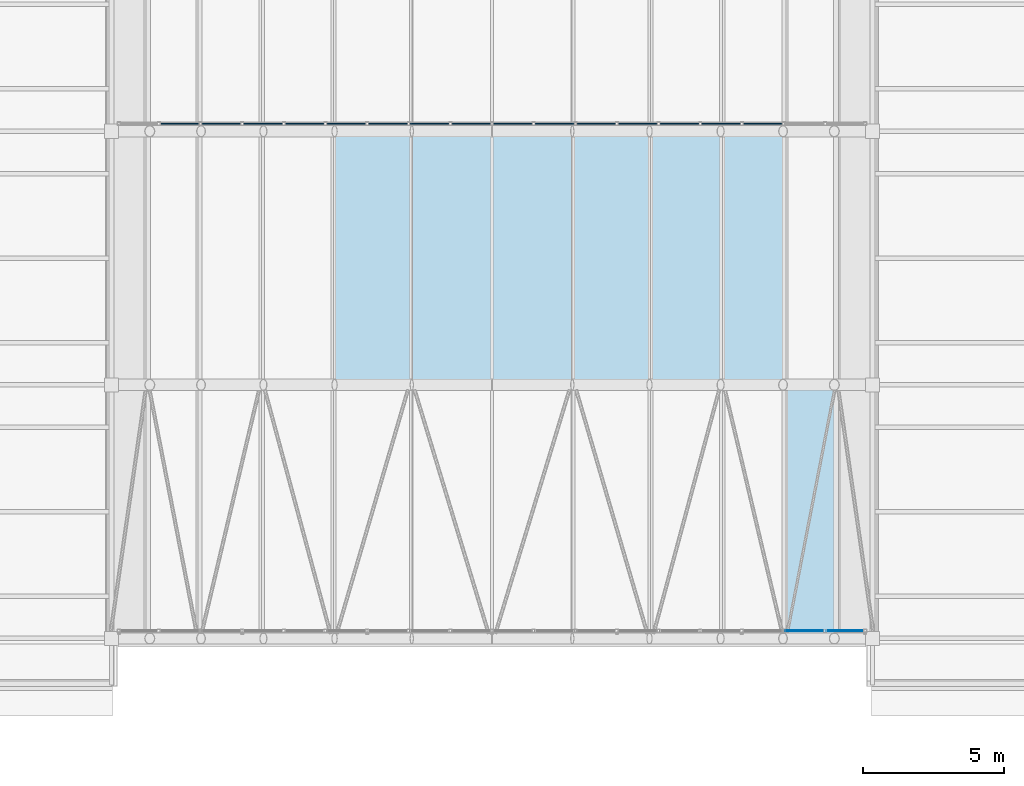
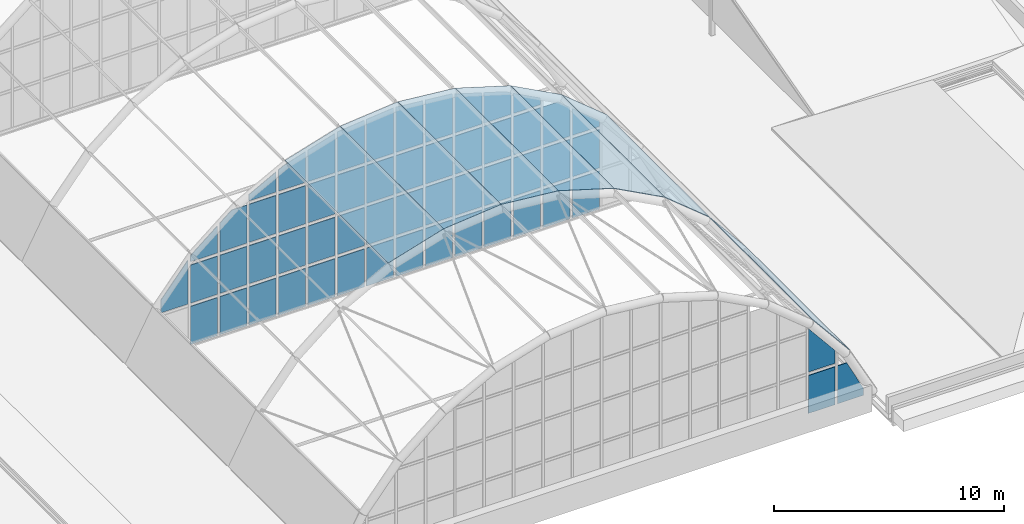
# One storey, part 76 of 121: 63 plates, 2 elements without a shape of their own.
"""IFC4 building model written with IfcOpenShell, lengths in metres."""

from ifc_helpers import new_model, si_unit, direction, frame, origin, place, context, subcontext, project, spatial, polyline, outline, extrude, material, layer, layer_set, type_object, element, aggregate, save


model = new_model("IFC4")

# Units and contexts
model_context = context("Model", 3, precision=1e-05, world=origin(), true_north=direction((0.0, 1.0)))
body_context = subcontext(model_context, "Body", "Model", "MODEL_VIEW")
ifc_project = project(units=[si_unit("LENGTHUNIT", "METRE"), si_unit("AREAUNIT", "SQUARE_METRE"), si_unit("VOLUMEUNIT", "CUBIC_METRE"), si_unit("PLANEANGLEUNIT", "RADIAN"), si_unit("MASSUNIT", "GRAM", prefix="KILO")], contexts=[model_context])

# Site, building, storey
site_placement = place(None, origin())
site = spatial("IfcSite", under=ifc_project, at=site_placement, CompositionType="ELEMENT")
building_placement = place(site_placement, origin())
building = spatial("IfcBuilding", under=site, at=building_placement, Name="Golden Quay Civic Hall", CompositionType="ELEMENT")
storey_placement = place(building_placement, frame((0.0, 0.0, 18.60009765625)))
storey = spatial("IfcBuildingStorey", under=building, at=storey_placement, Name="L04", CompositionType="ELEMENT", Elevation=18.60009765625)

# Curtain wall, plates
ifc_material_1 = material(Name="Fire-resisting glass and steel", Category="steel")
curtain_wall_type_1 = type_object("IfcCurtainWallType", Name="Fire-resisting glazed curtain wall EI 120", PredefinedType="NOTDEFINED", material=ifc_material_1)
curtain_wall_1_placement = place(storey_placement, origin())
curtain_wall_1 = element("IfcCurtainWall", 1, at=curtain_wall_1_placement, inside=storey, type_object=curtain_wall_type_1, Name="Curtain wall tympanum fire1", PredefinedType="NOTDEFINED")
ifc_material_2 = material(Name="Fire-resisting laminated glass", Category="glass")
ifc_layer_1 = layer(ifc_material_2, 0.0400390625)
ifc_layer_set_1 = layer_set([ifc_layer_1], Name="Fire-resisting glazed panel 40")
plate_type_1 = type_object("IfcPlateType", Name="Fire-resisting glazed panel 40", PredefinedType="CURTAIN_PANEL", material=ifc_layer_set_1)
plate_1_placement = place(storey_placement, frame((75.095458984375, 18.2900390625, 2.06982421875), z_axis=(0.0, 1.0, 0.0), x_axis=(-1.0, 0.0, 0.0)))
plate_1 = element("IfcPlate", 2, at=plate_1_placement, type_object=plate_type_1, Name="Tympanum glass 2.2", PredefinedType="CURTAIN_PANEL", context=body_context, shape_type="SweptSolid", body=[
    extrude(outline(polyline([(0.0, 0.0), (1.357666015625, 0.0), (1.357666015625, 0.677978515625), (0.0, 2.3271484375), (0.0, 0.0)])), origin(), (0.0, 0.0, -1.0), 0.0400390625),
])
plate_2_placement = place(storey_placement, frame((76.5732421875, 18.2900390625, -0.130126953125), z_axis=(0.0, 1.0, 0.0), x_axis=(-1.0, 0.0, 0.0)))
plate_2 = element("IfcPlate", 3, at=plate_2_placement, type_object=plate_type_1, Name="Tympanum glass 3.1", PredefinedType="CURTAIN_PANEL", context=body_context, shape_type="SweptSolid", body=[
    extrude(outline(polyline([(0.0, 0.0), (1.357666015625, 0.0), (1.357666015625, 2.02001953125), (0.0, 2.02001953125), (0.0, 0.0)])), origin(), (0.0, 0.0, -1.0), 0.0400390625),
])
plate_3_placement = place(storey_placement, frame((76.5732421875, 18.2900390625, 2.06982421875), z_axis=(0.0, 1.0, 0.0), x_axis=(-1.0, 0.0, 0.0)))
plate_3 = element("IfcPlate", 4, at=plate_3_placement, type_object=plate_type_1, Name="Tympanum glass 3.2", PredefinedType="CURTAIN_PANEL", context=body_context, shape_type="SweptSolid", body=[
    extrude(outline(polyline([(0.0, 0.0), (1.357666015625, 0.0), (1.357666015625, 2.02001953125), (0.0, 2.02001953125), (0.0, 0.0)])), origin(), (0.0, 0.0, -1.0), 0.0400390625),
])
plate_4_placement = place(storey_placement, frame((76.5732421875, 18.2900390625, 4.27001953125), z_axis=(0.0, 1.0, 0.0), x_axis=(-1.0, 0.0, 0.0)))
plate_4 = element("IfcPlate", 5, at=plate_4_placement, type_object=plate_type_1, Name="Tympanum glass 3.3", PredefinedType="CURTAIN_PANEL", context=body_context, shape_type="SweptSolid", body=[
    extrude(outline(polyline([(0.0, 0.0), (1.357666015625, 0.0), (1.357666015625, 0.31298828125), (0.0, 1.424560546875), (0.0, 0.0)])), origin(), (0.0, 0.0, -1.0), 0.0400390625),
])
plate_5_placement = place(storey_placement, frame((78.051025390625, 18.2900390625, -0.130126953125), z_axis=(0.0, 1.0, 0.0), x_axis=(-1.0, 0.0, 0.0)))
plate_5 = element("IfcPlate", 6, at=plate_5_placement, type_object=plate_type_1, Name="Tympanum glass 4.1", PredefinedType="CURTAIN_PANEL", context=body_context, shape_type="SweptSolid", body=[
    extrude(outline(polyline([(0.0, 0.0), (1.357666015625, 0.0), (1.357666015625, 2.02001953125), (0.0, 2.02001953125), (0.0, 0.0)])), origin(), (0.0, 0.0, -1.0), 0.0400390625),
])
plate_6_placement = place(storey_placement, frame((78.051025390625, 18.2900390625, 2.06982421875), z_axis=(0.0, 1.0, 0.0), x_axis=(-1.0, 0.0, 0.0)))
plate_6 = element("IfcPlate", 7, at=plate_6_placement, type_object=plate_type_1, Name="Tympanum glass 4.2", PredefinedType="CURTAIN_PANEL", context=body_context, shape_type="SweptSolid", body=[
    extrude(outline(polyline([(0.0, 0.0), (1.357666015625, 0.0), (1.357666015625, 2.02001953125), (0.0, 2.02001953125), (0.0, 0.0)])), origin(), (0.0, 0.0, -1.0), 0.0400390625),
])
plate_7_placement = place(storey_placement, frame((78.051025390625, 18.2900390625, 4.27001953125), z_axis=(0.0, 1.0, 0.0), x_axis=(-1.0, 0.0, 0.0)))
plate_7 = element("IfcPlate", 8, at=plate_7_placement, type_object=plate_type_1, Name="Tympanum glass 4.3", PredefinedType="CURTAIN_PANEL", context=body_context, shape_type="SweptSolid", body=[
    extrude(outline(polyline([(0.0, 0.0), (1.357666015625, 0.0), (1.357666015625, 1.522705078125), (0.75048828125, 2.019775390625), (0.0, 2.019775390625), (0.0, 0.0)])), origin(), (0.0, 0.0, -1.0), 0.0400390625),
])
plate_8_placement = place(storey_placement, frame((79.52880859375, 18.2900390625, -0.130126953125), z_axis=(0.0, 1.0, 0.0), x_axis=(-1.0, 0.0, 0.0)))
plate_8 = element("IfcPlate", 9, at=plate_8_placement, type_object=plate_type_1, Name="Tympanum glass 5.1", PredefinedType="CURTAIN_PANEL", context=body_context, shape_type="SweptSolid", body=[
    extrude(outline(polyline([(0.0, 0.0), (1.357666015625, 0.0), (1.357666015625, 2.02001953125), (0.0, 2.02001953125), (0.0, 0.0)])), origin(), (0.0, 0.0, -1.0), 0.0400390625),
])
plate_9_placement = place(storey_placement, frame((79.52880859375, 18.2900390625, 2.06982421875), z_axis=(0.0, 1.0, 0.0), x_axis=(-1.0, 0.0, 0.0)))
plate_9 = element("IfcPlate", 10, at=plate_9_placement, type_object=plate_type_1, Name="Tympanum glass 5.2", PredefinedType="CURTAIN_PANEL", context=body_context, shape_type="SweptSolid", body=[
    extrude(outline(polyline([(0.0, 0.0), (1.357666015625, 0.0), (1.357666015625, 2.02001953125), (0.0, 2.02001953125), (0.0, 0.0)])), origin(), (0.0, 0.0, -1.0), 0.0400390625),
])
plate_10_placement = place(storey_placement, frame((79.52880859375, 18.2900390625, 4.27001953125), z_axis=(0.0, 1.0, 0.0), x_axis=(-1.0, 0.0, 0.0)))
plate_10 = element("IfcPlate", 11, at=plate_10_placement, type_object=plate_type_1, Name="Tympanum glass 5.3", PredefinedType="CURTAIN_PANEL", context=body_context, shape_type="SweptSolid", body=[
    extrude(outline(polyline([(0.0, 0.0), (1.357666015625, 0.0), (1.357666015625, 2.019775390625), (0.0, 2.019775390625), (0.0, 0.0)])), origin(), (0.0, 0.0, -1.0), 0.0400390625),
])
plate_11_placement = place(storey_placement, frame((79.52880859375, 18.2900390625, 6.469970703125), z_axis=(0.0, 1.0, 0.0), x_axis=(-1.0, 0.0, 0.0)))
plate_11 = element("IfcPlate", 12, at=plate_11_placement, type_object=plate_type_1, Name="Tympanum glass 5.4", PredefinedType="CURTAIN_PANEL", context=body_context, shape_type="SweptSolid", body=[
    extrude(outline(polyline([(0.0, 0.0), (1.357666015625, 0.0), (1.357666015625, 0.34130859375), (0.0, 1.065673828125), (0.0, 0.0)])), origin(), (0.0, 0.0, -1.0), 0.0400390625),
])
plate_12_placement = place(storey_placement, frame((81.006591796875, 18.2900390625, -0.130126953125), z_axis=(0.0, 1.0, 0.0), x_axis=(-1.0, 0.0, 0.0)))
plate_12 = element("IfcPlate", 13, at=plate_12_placement, type_object=plate_type_1, Name="Tympanum glass 6.1", PredefinedType="CURTAIN_PANEL", context=body_context, shape_type="SweptSolid", body=[
    extrude(outline(polyline([(0.0, 0.0), (1.357666015625, 0.0), (1.357666015625, 2.02001953125), (0.0, 2.02001953125), (0.0, 0.0)])), origin(), (0.0, 0.0, -1.0), 0.0400390625),
])
plate_13_placement = place(storey_placement, frame((81.006591796875, 18.2900390625, 2.06982421875), z_axis=(0.0, 1.0, 0.0), x_axis=(-1.0, 0.0, 0.0)))
plate_13 = element("IfcPlate", 14, at=plate_13_placement, type_object=plate_type_1, Name="Tympanum glass 6.2", PredefinedType="CURTAIN_PANEL", context=body_context, shape_type="SweptSolid", body=[
    extrude(outline(polyline([(0.0, 0.0), (1.357666015625, 0.0), (1.357666015625, 2.02001953125), (0.0, 2.02001953125), (0.0, 0.0)])), origin(), (0.0, 0.0, -1.0), 0.0400390625),
])
plate_14_placement = place(storey_placement, frame((81.006591796875, 18.2900390625, 4.27001953125), z_axis=(0.0, 1.0, 0.0), x_axis=(-1.0, 0.0, 0.0)))
plate_14 = element("IfcPlate", 15, at=plate_14_placement, type_object=plate_type_1, Name="Tympanum glass 6.3", PredefinedType="CURTAIN_PANEL", context=body_context, shape_type="SweptSolid", body=[
    extrude(outline(polyline([(0.0, 0.0), (1.357666015625, 0.0), (1.357666015625, 2.019775390625), (0.0, 2.019775390625), (0.0, 0.0)])), origin(), (0.0, 0.0, -1.0), 0.0400390625),
])
plate_15_placement = place(storey_placement, frame((81.006591796875, 18.2900390625, 6.469970703125), z_axis=(0.0, 1.0, 0.0), x_axis=(-1.0, 0.0, 0.0)))
plate_15 = element("IfcPlate", 16, at=plate_15_placement, type_object=plate_type_1, Name="Tympanum glass 6.4", PredefinedType="CURTAIN_PANEL", context=body_context, shape_type="SweptSolid", body=[
    extrude(outline(polyline([(0.0, 0.0), (1.357666015625, 0.0), (1.357666015625, 1.129638671875), (1.093994140625, 1.270263671875), (0.0, 1.619384765625), (0.0, 0.0)])), origin(), (0.0, 0.0, -1.0), 0.0400390625),
])
plate_16_placement = place(storey_placement, frame((82.484375, 18.2900390625, -0.130126953125), z_axis=(0.0, 1.0, 0.0), x_axis=(-1.0, 0.0, 0.0)))
plate_16 = element("IfcPlate", 17, at=plate_16_placement, type_object=plate_type_1, Name="Tympanum glass 7.1", PredefinedType="CURTAIN_PANEL", context=body_context, shape_type="SweptSolid", body=[
    extrude(outline(polyline([(0.0, 0.0), (1.357666015625, 0.0), (1.357666015625, 2.02001953125), (0.0, 2.02001953125), (0.0, 0.0)])), origin(), (0.0, 0.0, -1.0), 0.0400390625),
])
plate_17_placement = place(storey_placement, frame((82.484375, 18.2900390625, 2.06982421875), z_axis=(0.0, 1.0, 0.0), x_axis=(-1.0, 0.0, 0.0)))
plate_17 = element("IfcPlate", 18, at=plate_17_placement, type_object=plate_type_1, Name="Tympanum glass 7.2", PredefinedType="CURTAIN_PANEL", context=body_context, shape_type="SweptSolid", body=[
    extrude(outline(polyline([(0.0, 0.0), (1.357666015625, 0.0), (1.357666015625, 2.02001953125), (0.0, 2.02001953125), (0.0, 0.0)])), origin(), (0.0, 0.0, -1.0), 0.0400390625),
])
plate_18_placement = place(storey_placement, frame((82.484375, 18.2900390625, 4.27001953125), z_axis=(0.0, 1.0, 0.0), x_axis=(-1.0, 0.0, 0.0)))
plate_18 = element("IfcPlate", 19, at=plate_18_placement, type_object=plate_type_1, Name="Tympanum glass 7.3", PredefinedType="CURTAIN_PANEL", context=body_context, shape_type="SweptSolid", body=[
    extrude(outline(polyline([(0.0, 0.0), (1.357666015625, 0.0), (1.357666015625, 2.019775390625), (0.0, 2.019775390625), (0.0, 0.0)])), origin(), (0.0, 0.0, -1.0), 0.0400390625),
])
plate_19_placement = place(storey_placement, frame((82.484375, 18.2900390625, 6.469970703125), z_axis=(0.0, 1.0, 0.0), x_axis=(-1.0, 0.0, 0.0)))
plate_19 = element("IfcPlate", 20, at=plate_19_placement, type_object=plate_type_1, Name="Tympanum glass 7.4", PredefinedType="CURTAIN_PANEL", context=body_context, shape_type="SweptSolid", body=[
    extrude(outline(polyline([(0.0, 0.0), (1.357666015625, 0.0), (1.357666015625, 1.65576171875), (0.0, 2.06689453125), (0.0, 0.0)])), origin(), (0.0, 0.0, -1.0), 0.0400390625),
])
plate_20_placement = place(storey_placement, frame((83.962158203125, 18.2900390625, -0.130126953125), z_axis=(0.0, 1.0, 0.0), x_axis=(-1.0, 0.0, 0.0)))
plate_20 = element("IfcPlate", 21, at=plate_20_placement, type_object=plate_type_1, Name="Tympanum glass 8.1", PredefinedType="CURTAIN_PANEL", context=body_context, shape_type="SweptSolid", body=[
    extrude(outline(polyline([(0.0, 0.0), (1.357666015625, 0.0), (1.357666015625, 2.02001953125), (0.0, 2.02001953125), (0.0, 0.0)])), origin(), (0.0, 0.0, -1.0), 0.0400390625),
])
plate_21_placement = place(storey_placement, frame((83.962158203125, 18.2900390625, 2.06982421875), z_axis=(0.0, 1.0, 0.0), x_axis=(-1.0, 0.0, 0.0)))
plate_21 = element("IfcPlate", 22, at=plate_21_placement, type_object=plate_type_1, Name="Tympanum glass 8.2", PredefinedType="CURTAIN_PANEL", context=body_context, shape_type="SweptSolid", body=[
    extrude(outline(polyline([(0.0, 0.0), (1.357666015625, 0.0), (1.357666015625, 2.02001953125), (0.0, 2.02001953125), (0.0, 0.0)])), origin(), (0.0, 0.0, -1.0), 0.0400390625),
])
plate_22_placement = place(storey_placement, frame((83.962158203125, 18.2900390625, 4.27001953125), z_axis=(0.0, 1.0, 0.0), x_axis=(-1.0, 0.0, 0.0)))
plate_22 = element("IfcPlate", 23, at=plate_22_placement, type_object=plate_type_1, Name="Tympanum glass 8.3", PredefinedType="CURTAIN_PANEL", context=body_context, shape_type="SweptSolid", body=[
    extrude(outline(polyline([(0.0, 0.0), (1.357666015625, 0.0), (1.357666015625, 2.019775390625), (0.0, 2.019775390625), (0.0, 0.0)])), origin(), (0.0, 0.0, -1.0), 0.0400390625),
])
plate_23_placement = place(storey_placement, frame((83.962158203125, 18.2900390625, 6.469970703125), z_axis=(0.0, 1.0, 0.0), x_axis=(-1.0, 0.0, 0.0)))
plate_23 = element("IfcPlate", 24, at=plate_23_placement, type_object=plate_type_1, Name="Tympanum glass 8.4", PredefinedType="CURTAIN_PANEL", context=body_context, shape_type="SweptSolid", body=[
    extrude(outline(polyline([(0.0, 0.0), (1.357666015625, 0.0), (1.357666015625, 2.103271484375), (1.310302734375, 2.11767578125), (0.0, 2.254638671875), (0.0, 0.0)])), origin(), (0.0, 0.0, -1.0), 0.0400390625),
])
plate_24_placement = place(storey_placement, frame((85.43994140625, 18.2900390625, -0.130126953125), z_axis=(0.0, 1.0, 0.0), x_axis=(-1.0, 0.0, 0.0)))
plate_24 = element("IfcPlate", 25, at=plate_24_placement, type_object=plate_type_1, Name="Tympanum glass 9.1", PredefinedType="CURTAIN_PANEL", context=body_context, shape_type="SweptSolid", body=[
    extrude(outline(polyline([(0.0, 0.0), (1.357666015625, 0.0), (1.357666015625, 2.02001953125), (0.0, 2.02001953125), (0.0, 0.0)])), origin(), (0.0, 0.0, -1.0), 0.0400390625),
])
plate_25_placement = place(storey_placement, frame((85.43994140625, 18.2900390625, 2.06982421875), z_axis=(0.0, 1.0, 0.0), x_axis=(-1.0, 0.0, 0.0)))
plate_25 = element("IfcPlate", 26, at=plate_25_placement, type_object=plate_type_1, Name="Tympanum glass 9.2", PredefinedType="CURTAIN_PANEL", context=body_context, shape_type="SweptSolid", body=[
    extrude(outline(polyline([(0.0, 0.0), (1.357666015625, 0.0), (1.357666015625, 2.02001953125), (0.0, 2.02001953125), (0.0, 0.0)])), origin(), (0.0, 0.0, -1.0), 0.0400390625),
])
plate_26_placement = place(storey_placement, frame((85.43994140625, 18.2900390625, 4.27001953125), z_axis=(0.0, 1.0, 0.0), x_axis=(-1.0, 0.0, 0.0)))
plate_26 = element("IfcPlate", 27, at=plate_26_placement, type_object=plate_type_1, Name="Tympanum glass 9.3", PredefinedType="CURTAIN_PANEL", context=body_context, shape_type="SweptSolid", body=[
    extrude(outline(polyline([(0.0, 0.0), (1.357666015625, 0.0), (1.357666015625, 2.019775390625), (0.0, 2.019775390625), (0.0, 0.0)])), origin(), (0.0, 0.0, -1.0), 0.0400390625),
])
plate_27_placement = place(storey_placement, frame((85.43994140625, 18.2900390625, 6.469970703125), z_axis=(0.0, 1.0, 0.0), x_axis=(-1.0, 0.0, 0.0)))
plate_27 = element("IfcPlate", 28, at=plate_27_placement, type_object=plate_type_1, Name="Tympanum glass 9.4", PredefinedType="CURTAIN_PANEL", context=body_context, shape_type="SweptSolid", body=[
    extrude(outline(polyline([(0.0, 0.0), (1.357666015625, 0.0), (1.357666015625, 2.266357421875), (0.0, 2.39990234375), (0.0, 0.0)])), origin(), (0.0, 0.0, -1.0), 0.0400390625),
])
plate_28_placement = place(storey_placement, frame((86.917724609375, 18.2900390625, -0.130126953125), z_axis=(0.0, 1.0, 0.0), x_axis=(-1.0, 0.0, 0.0)))
plate_28 = element("IfcPlate", 29, at=plate_28_placement, type_object=plate_type_1, Name="Tympanum glass 10.1", PredefinedType="CURTAIN_PANEL", context=body_context, shape_type="SweptSolid", body=[
    extrude(outline(polyline([(0.0, 0.0), (1.357666015625, 0.0), (1.357666015625, 2.02001953125), (0.0, 2.02001953125), (0.0, 0.0)])), origin(), (0.0, 0.0, -1.0), 0.0400390625),
])
plate_29_placement = place(storey_placement, frame((86.917724609375, 18.2900390625, 2.06982421875), z_axis=(0.0, 1.0, 0.0), x_axis=(-1.0, 0.0, 0.0)))
plate_29 = element("IfcPlate", 30, at=plate_29_placement, type_object=plate_type_1, Name="Tympanum glass 10.2", PredefinedType="CURTAIN_PANEL", context=body_context, shape_type="SweptSolid", body=[
    extrude(outline(polyline([(0.0, 0.0), (1.357666015625, 0.0), (1.357666015625, 2.02001953125), (0.0, 2.02001953125), (0.0, 0.0)])), origin(), (0.0, 0.0, -1.0), 0.0400390625),
])
plate_30_placement = place(storey_placement, frame((86.917724609375, 18.2900390625, 4.27001953125), z_axis=(0.0, 1.0, 0.0), x_axis=(-1.0, 0.0, 0.0)))
plate_30 = element("IfcPlate", 31, at=plate_30_placement, type_object=plate_type_1, Name="Tympanum glass 10.3", PredefinedType="CURTAIN_PANEL", context=body_context, shape_type="SweptSolid", body=[
    extrude(outline(polyline([(0.0, 0.0), (1.357666015625, 0.0), (1.357666015625, 2.019775390625), (0.0, 2.019775390625), (0.0, 0.0)])), origin(), (0.0, 0.0, -1.0), 0.0400390625),
])
plate_31_placement = place(storey_placement, frame((86.917724609375, 18.2900390625, 6.469970703125), z_axis=(0.0, 1.0, 0.0), x_axis=(-1.0, 0.0, 0.0)))
plate_31 = element("IfcPlate", 32, at=plate_31_placement, type_object=plate_type_1, Name="Tympanum glass 10.4", PredefinedType="CURTAIN_PANEL", context=body_context, shape_type="SweptSolid", body=[
    extrude(outline(polyline([(0.0, 0.0), (1.357666015625, 0.0), (1.357666015625, 2.39990234375), (0.0, 2.266357421875), (0.0, 0.0)])), origin(), (0.0, 0.0, -1.0), 0.0400390625),
])
plate_32_placement = place(storey_placement, frame((88.3955078125, 18.2900390625, -0.130126953125), z_axis=(0.0, 1.0, 0.0), x_axis=(-1.0, 0.0, 0.0)))
plate_32 = element("IfcPlate", 33, at=plate_32_placement, type_object=plate_type_1, Name="Tympanum glass 11.1", PredefinedType="CURTAIN_PANEL", context=body_context, shape_type="SweptSolid", body=[
    extrude(outline(polyline([(0.0, 0.0), (1.357666015625, 0.0), (1.357666015625, 2.02001953125), (0.0, 2.02001953125), (0.0, 0.0)])), origin(), (0.0, 0.0, -1.0), 0.0400390625),
])
plate_33_placement = place(storey_placement, frame((88.3955078125, 18.2900390625, 2.06982421875), z_axis=(0.0, 1.0, 0.0), x_axis=(-1.0, 0.0, 0.0)))
plate_33 = element("IfcPlate", 34, at=plate_33_placement, type_object=plate_type_1, Name="Tympanum glass 11.2", PredefinedType="CURTAIN_PANEL", context=body_context, shape_type="SweptSolid", body=[
    extrude(outline(polyline([(0.0, 0.0), (1.357666015625, 0.0), (1.357666015625, 2.02001953125), (0.0, 2.02001953125), (0.0, 0.0)])), origin(), (0.0, 0.0, -1.0), 0.0400390625),
])
plate_34_placement = place(storey_placement, frame((88.3955078125, 18.2900390625, 4.27001953125), z_axis=(0.0, 1.0, 0.0), x_axis=(-1.0, 0.0, 0.0)))
plate_34 = element("IfcPlate", 35, at=plate_34_placement, type_object=plate_type_1, Name="Tympanum glass 11.3", PredefinedType="CURTAIN_PANEL", context=body_context, shape_type="SweptSolid", body=[
    extrude(outline(polyline([(0.0, 0.0), (1.357666015625, 0.0), (1.357666015625, 2.019775390625), (0.0, 2.019775390625), (0.0, 0.0)])), origin(), (0.0, 0.0, -1.0), 0.0400390625),
])
plate_35_placement = place(storey_placement, frame((88.3955078125, 18.2900390625, 6.469970703125), z_axis=(0.0, 1.0, 0.0), x_axis=(-1.0, 0.0, 0.0)))
plate_35 = element("IfcPlate", 36, at=plate_35_placement, type_object=plate_type_1, Name="Tympanum glass 11.4", PredefinedType="CURTAIN_PANEL", context=body_context, shape_type="SweptSolid", body=[
    extrude(outline(polyline([(0.0, 0.0), (1.357666015625, 0.0), (1.357666015625, 2.254638671875), (0.04736328125, 2.125732421875), (0.0, 2.103271484375), (0.0, 0.0)])), origin(), (0.0, 0.0, -1.0), 0.0400390625),
])
plate_36_placement = place(storey_placement, frame((89.873291015625, 18.2900390625, -0.130126953125), z_axis=(0.0, 1.0, 0.0), x_axis=(-1.0, 0.0, 0.0)))
plate_36 = element("IfcPlate", 37, at=plate_36_placement, type_object=plate_type_1, Name="Tympanum glass 12.1", PredefinedType="CURTAIN_PANEL", context=body_context, shape_type="SweptSolid", body=[
    extrude(outline(polyline([(0.0, 0.0), (1.357666015625, 0.0), (1.357666015625, 2.02001953125), (0.0, 2.02001953125), (0.0, 0.0)])), origin(), (0.0, 0.0, -1.0), 0.0400390625),
])
plate_37_placement = place(storey_placement, frame((89.873291015625, 18.2900390625, 2.06982421875), z_axis=(0.0, 1.0, 0.0), x_axis=(-1.0, 0.0, 0.0)))
plate_37 = element("IfcPlate", 38, at=plate_37_placement, type_object=plate_type_1, Name="Tympanum glass 12.2", PredefinedType="CURTAIN_PANEL", context=body_context, shape_type="SweptSolid", body=[
    extrude(outline(polyline([(0.0, 0.0), (1.357666015625, 0.0), (1.357666015625, 2.02001953125), (0.0, 2.02001953125), (0.0, 0.0)])), origin(), (0.0, 0.0, -1.0), 0.0400390625),
])
plate_38_placement = place(storey_placement, frame((89.873291015625, 18.2900390625, 4.27001953125), z_axis=(0.0, 1.0, 0.0), x_axis=(-1.0, 0.0, 0.0)))
plate_38 = element("IfcPlate", 39, at=plate_38_placement, type_object=plate_type_1, Name="Tympanum glass 12.3", PredefinedType="CURTAIN_PANEL", context=body_context, shape_type="SweptSolid", body=[
    extrude(outline(polyline([(0.0, 0.0), (1.357666015625, 0.0), (1.357666015625, 2.019775390625), (0.0, 2.019775390625), (0.0, 0.0)])), origin(), (0.0, 0.0, -1.0), 0.0400390625),
])
plate_39_placement = place(storey_placement, frame((89.873291015625, 18.2900390625, 6.469970703125), z_axis=(0.0, 1.0, 0.0), x_axis=(-1.0, 0.0, 0.0)))
plate_39 = element("IfcPlate", 40, at=plate_39_placement, type_object=plate_type_1, Name="Tympanum glass 12.4", PredefinedType="CURTAIN_PANEL", context=body_context, shape_type="SweptSolid", body=[
    extrude(outline(polyline([(0.0, 0.0), (1.357666015625, 0.0), (1.357666015625, 2.06689453125), (0.0, 1.65576171875), (0.0, 0.0)])), origin(), (0.0, 0.0, -1.0), 0.0400390625),
])
plate_40_placement = place(storey_placement, frame((91.35107421875, 18.2900390625, -0.130126953125), z_axis=(0.0, 1.0, 0.0), x_axis=(-1.0, 0.0, 0.0)))
plate_40 = element("IfcPlate", 41, at=plate_40_placement, type_object=plate_type_1, Name="Tympanum glass 13.1", PredefinedType="CURTAIN_PANEL", context=body_context, shape_type="SweptSolid", body=[
    extrude(outline(polyline([(0.0, 0.0), (1.357666015625, 0.0), (1.357666015625, 2.02001953125), (0.0, 2.02001953125), (0.0, 0.0)])), origin(), (0.0, 0.0, -1.0), 0.0400390625),
])
plate_41_placement = place(storey_placement, frame((91.35107421875, 18.2900390625, 2.06982421875), z_axis=(0.0, 1.0, 0.0), x_axis=(-1.0, 0.0, 0.0)))
plate_41 = element("IfcPlate", 42, at=plate_41_placement, type_object=plate_type_1, Name="Tympanum glass 13.2", PredefinedType="CURTAIN_PANEL", context=body_context, shape_type="SweptSolid", body=[
    extrude(outline(polyline([(0.0, 0.0), (1.357666015625, 0.0), (1.357666015625, 2.02001953125), (0.0, 2.02001953125), (0.0, 0.0)])), origin(), (0.0, 0.0, -1.0), 0.0400390625),
])
plate_42_placement = place(storey_placement, frame((91.35107421875, 18.2900390625, 4.27001953125), z_axis=(0.0, 1.0, 0.0), x_axis=(-1.0, 0.0, 0.0)))
plate_42 = element("IfcPlate", 43, at=plate_42_placement, type_object=plate_type_1, Name="Tympanum glass 13.3", PredefinedType="CURTAIN_PANEL", context=body_context, shape_type="SweptSolid", body=[
    extrude(outline(polyline([(0.0, 0.0), (1.357666015625, 0.0), (1.357666015625, 2.019775390625), (0.0, 2.019775390625), (0.0, 0.0)])), origin(), (0.0, 0.0, -1.0), 0.0400390625),
])
plate_43_placement = place(storey_placement, frame((91.35107421875, 18.2900390625, 6.469970703125), z_axis=(0.0, 1.0, 0.0), x_axis=(-1.0, 0.0, 0.0)))
plate_43 = element("IfcPlate", 44, at=plate_43_placement, type_object=plate_type_1, Name="Tympanum glass 13.4", PredefinedType="CURTAIN_PANEL", context=body_context, shape_type="SweptSolid", body=[
    extrude(outline(polyline([(0.0, 0.0), (1.357666015625, 0.0), (1.357666015625, 1.619384765625), (0.263671875, 1.288330078125), (0.0, 1.129638671875), (0.0, 0.0)])), origin(), (0.0, 0.0, -1.0), 0.0400390625),
])
plate_44_placement = place(storey_placement, frame((92.828857421875, 18.2900390625, -0.130126953125), z_axis=(0.0, 1.0, 0.0), x_axis=(-1.0, 0.0, 0.0)))
plate_44 = element("IfcPlate", 45, at=plate_44_placement, type_object=plate_type_1, Name="Tympanum glass 14.1", PredefinedType="CURTAIN_PANEL", context=body_context, shape_type="SweptSolid", body=[
    extrude(outline(polyline([(0.0, 0.0), (1.357666015625, 0.0), (1.357666015625, 2.02001953125), (0.0, 2.02001953125), (0.0, 0.0)])), origin(), (0.0, 0.0, -1.0), 0.0400390625),
])
plate_45_placement = place(storey_placement, frame((92.828857421875, 18.2900390625, 2.06982421875), z_axis=(0.0, 1.0, 0.0), x_axis=(-1.0, 0.0, 0.0)))
plate_45 = element("IfcPlate", 46, at=plate_45_placement, type_object=plate_type_1, Name="Tympanum glass 14.2", PredefinedType="CURTAIN_PANEL", context=body_context, shape_type="SweptSolid", body=[
    extrude(outline(polyline([(0.0, 0.0), (1.357666015625, 0.0), (1.357666015625, 2.02001953125), (0.0, 2.02001953125), (0.0, 0.0)])), origin(), (0.0, 0.0, -1.0), 0.0400390625),
])
plate_46_placement = place(storey_placement, frame((92.828857421875, 18.2900390625, 4.27001953125), z_axis=(0.0, 1.0, 0.0), x_axis=(-1.0, 0.0, 0.0)))
plate_46 = element("IfcPlate", 47, at=plate_46_placement, type_object=plate_type_1, Name="Tympanum glass 14.3", PredefinedType="CURTAIN_PANEL", context=body_context, shape_type="SweptSolid", body=[
    extrude(outline(polyline([(0.0, 0.0), (1.357666015625, 0.0), (1.357666015625, 2.019775390625), (0.0, 2.019775390625), (0.0, 0.0)])), origin(), (0.0, 0.0, -1.0), 0.0400390625),
])
plate_47_placement = place(storey_placement, frame((92.828857421875, 18.2900390625, 6.469970703125), z_axis=(0.0, 1.0, 0.0), x_axis=(-1.0, 0.0, 0.0)))
plate_47 = element("IfcPlate", 48, at=plate_47_placement, type_object=plate_type_1, Name="Tympanum glass 14.4", PredefinedType="CURTAIN_PANEL", context=body_context, shape_type="SweptSolid", body=[
    extrude(outline(polyline([(0.0, 0.0), (1.357666015625, 0.0), (1.357666015625, 1.065673828125), (0.0, 0.34130859375), (0.0, 0.0)])), origin(), (0.0, 0.0, -1.0), 0.0400390625),
])
plate_48_placement = place(storey_placement, frame((94.306640625, 18.2900390625, -0.130126953125), z_axis=(0.0, 1.0, 0.0), x_axis=(-1.0, 0.0, 0.0)))
plate_48 = element("IfcPlate", 49, at=plate_48_placement, type_object=plate_type_1, Name="Tympanum glass 15.1", PredefinedType="CURTAIN_PANEL", context=body_context, shape_type="SweptSolid", body=[
    extrude(outline(polyline([(0.0, 0.0), (1.357666015625, 0.0), (1.357666015625, 2.02001953125), (0.0, 2.02001953125), (0.0, 0.0)])), origin(), (0.0, 0.0, -1.0), 0.0400390625),
])
plate_49_placement = place(storey_placement, frame((94.306640625, 18.2900390625, 2.06982421875), z_axis=(0.0, 1.0, 0.0), x_axis=(-1.0, 0.0, 0.0)))
plate_49 = element("IfcPlate", 50, at=plate_49_placement, type_object=plate_type_1, Name="Tympanum glass 15.2", PredefinedType="CURTAIN_PANEL", context=body_context, shape_type="SweptSolid", body=[
    extrude(outline(polyline([(0.0, 0.0), (1.357666015625, 0.0), (1.357666015625, 2.02001953125), (0.0, 2.02001953125), (0.0, 0.0)])), origin(), (0.0, 0.0, -1.0), 0.0400390625),
])
plate_50_placement = place(storey_placement, frame((94.306640625, 18.2900390625, 4.27001953125), z_axis=(0.0, 1.0, 0.0), x_axis=(-1.0, 0.0, 0.0)))
plate_50 = element("IfcPlate", 51, at=plate_50_placement, type_object=plate_type_1, Name="Tympanum glass 15.3", PredefinedType="CURTAIN_PANEL", context=body_context, shape_type="SweptSolid", body=[
    extrude(outline(polyline([(0.0, 0.0), (1.357666015625, 0.0), (1.357666015625, 2.019775390625), (0.57470703125, 2.019775390625), (0.0, 1.522705078125), (0.0, 0.0)])), origin(), (0.0, 0.0, -1.0), 0.0400390625),
])
plate_51_placement = place(storey_placement, frame((95.784423828125, 18.2900390625, -0.130126953125), z_axis=(0.0, 1.0, 0.0), x_axis=(-1.0, 0.0, 0.0)))
plate_51 = element("IfcPlate", 52, at=plate_51_placement, type_object=plate_type_1, Name="Tympanum glass 16.1", PredefinedType="CURTAIN_PANEL", context=body_context, shape_type="SweptSolid", body=[
    extrude(outline(polyline([(0.0, 0.0), (1.357666015625, 0.0), (1.357666015625, 2.02001953125), (0.0, 2.02001953125), (0.0, 0.0)])), origin(), (0.0, 0.0, -1.0), 0.0400390625),
])
plate_52_placement = place(storey_placement, frame((95.784423828125, 18.2900390625, 2.06982421875), z_axis=(0.0, 1.0, 0.0), x_axis=(-1.0, 0.0, 0.0)))
plate_52 = element("IfcPlate", 53, at=plate_52_placement, type_object=plate_type_1, Name="Tympanum glass 16.2", PredefinedType="CURTAIN_PANEL", context=body_context, shape_type="SweptSolid", body=[
    extrude(outline(polyline([(0.0, 0.0), (1.357666015625, 0.0), (1.357666015625, 2.02001953125), (0.0, 2.02001953125), (0.0, 0.0)])), origin(), (0.0, 0.0, -1.0), 0.0400390625),
])
plate_53_placement = place(storey_placement, frame((95.784423828125, 18.2900390625, 4.27001953125), z_axis=(0.0, 1.0, 0.0), x_axis=(-1.0, 0.0, 0.0)))
plate_53 = element("IfcPlate", 54, at=plate_53_placement, type_object=plate_type_1, Name="Tympanum glass 16.3", PredefinedType="CURTAIN_PANEL", context=body_context, shape_type="SweptSolid", body=[
    extrude(outline(polyline([(0.0, 0.0), (1.357666015625, 0.0), (1.357666015625, 1.424560546875), (0.0, 0.31298828125), (0.0, 0.0)])), origin(), (0.0, 0.0, -1.0), 0.0400390625),
])
aggregate(curtain_wall_1, [plate_1, plate_2, plate_3, plate_4, plate_5, plate_6, plate_7, plate_8, plate_9, plate_10, plate_11, plate_12, plate_13, plate_14, plate_15, plate_16, plate_17, plate_18, plate_19, plate_20, plate_21, plate_22, plate_23, plate_24, plate_25, plate_26, plate_27, plate_28, plate_29, plate_30, plate_31, plate_32, plate_33, plate_34, plate_35, plate_36, plate_37, plate_38, plate_39, plate_40, plate_41, plate_42, plate_43, plate_44, plate_45, plate_46, plate_47, plate_48, plate_49, plate_50, plate_51, plate_52, plate_53])

ifc_material_3 = material(Name="Glass and aluminium", Category="aluminium")
curtain_wall_type_2 = type_object("IfcCurtainWallType", Name="Glazed curtain wall 1500 module", PredefinedType="NOTDEFINED", material=ifc_material_3)
curtain_wall_2_placement = place(storey_placement, origin())
curtain_wall_2 = element("IfcCurtainWall", 55, at=curtain_wall_2_placement, inside=storey, type_object=curtain_wall_type_2, Name="Curtain wall tympanum south", PredefinedType="NOTDEFINED")
ifc_material_4 = material(Name="Laminated glass", Category="glass")
ifc_layer_2 = layer(ifc_material_4, 0.028076171875)
ifc_layer_set_2 = layer_set([ifc_layer_2], Name="Laminated glass panel 28")
plate_type_2 = type_object("IfcPlateType", Name="Laminated glass panel 28", PredefinedType="CURTAIN_PANEL", material=ifc_layer_set_2)
plate_54_placement = place(storey_placement, frame((97.26220703125, 0.283935546875, -0.130126953125), z_axis=(0.0, 1.0, 0.0), x_axis=(-1.0, 0.0, 0.0)))
plate_54 = element("IfcPlate", 56, at=plate_54_placement, type_object=plate_type_2, Name="Tympanum glass 17.1", PredefinedType="CURTAIN_PANEL", context=body_context, shape_type="SweptSolid", body=[
    extrude(outline(polyline([(0.0, 0.0), (1.357666015625, 0.0), (1.357666015625, 2.02001953125), (0.0, 2.02001953125), (0.0, 0.0)])), origin(), (0.0, 0.0, -1.0), 0.028076171875),
])
plate_55_placement = place(storey_placement, frame((97.26220703125, 0.283935546875, 2.06982421875), z_axis=(0.0, 1.0, 0.0), x_axis=(-1.0, 0.0, 0.0)))
plate_55 = element("IfcPlate", 57, at=plate_55_placement, type_object=plate_type_2, Name="Tympanum glass 17.2", PredefinedType="CURTAIN_PANEL", context=body_context, shape_type="SweptSolid", body=[
    extrude(outline(polyline([(0.0, 0.0), (1.357666015625, 0.0), (1.357666015625, 2.3271484375), (0.0, 0.677978515625), (0.0, 0.0)])), origin(), (0.0, 0.0, -1.0), 0.028076171875),
])
plate_56_placement = place(storey_placement, frame((98.679931640625, 0.283935546875, -0.130126953125), z_axis=(0.0, 1.0, 0.0), x_axis=(-1.0, 0.0, 0.0)))
plate_56 = element("IfcPlate", 58, at=plate_56_placement, type_object=plate_type_2, Name="Tympanum glass 18.1", PredefinedType="CURTAIN_PANEL", context=body_context, shape_type="SweptSolid", body=[
    extrude(outline(polyline([(0.0, 0.0), (1.297607421875, 0.0), (1.297607421875, 2.02001953125), (0.8349609375, 2.02001953125), (0.0, 0.37646484375), (0.0, 0.0)])), origin(), (0.0, 0.0, -1.0), 0.028076171875),
])
aggregate(curtain_wall_2, [plate_54, plate_55, plate_56])

# Plates
ifc_material_5 = material(Name="Laminated glass", Category="glass")
ifc_layer_3 = layer(ifc_material_5, 0.030029296875)
ifc_layer_set_3 = layer_set([ifc_layer_3], Name="Laminated vault glazing 30")
plate_type_3 = type_object("IfcPlateType", Name="Laminated vault glazing 30", PredefinedType="SHEET", material=ifc_layer_set_3)
plate_57_placement = place(storey_placement, frame((95.993896484375, 0.0, 4.994140625), z_axis=(0.7720006594, 0.0, 0.635621728614), x_axis=(0.635621728614, 0.0, -0.7720006594)))
element("IfcPlate", 59, at=plate_57_placement, inside=storey, type_object=plate_type_3, Name="Vault glazing 1.11", PredefinedType="SHEET", context=body_context, shape_type="SweptSolid", body=[
    extrude(outline(polyline([(0.0, 0.0), (2.901855520100459, 0.0), (2.901855520100459, 9.0), (0.0, 9.0), (0.0, 0.0)])), origin(), (0.0, 0.0, -1.0), 0.030029296875),
])
plate_58_placement = place(storey_placement, frame((79.826171875, 9.0, 8.20751953125), z_axis=(-0.289755197495, 0.0, 0.957100791727), x_axis=(0.957100791727, 0.0, 0.289755197495)))
element("IfcPlate", 60, at=plate_58_placement, inside=storey, type_object=plate_type_3, Name="Vault glazing 2.5", PredefinedType="SHEET", context=body_context, shape_type="SweptSolid", body=[
    extrude(outline(polyline([(0.0, 0.0), (2.9018299577295465, 0.0), (2.9018299577295465, 9.0), (0.0, 9.0), (0.0, 0.0)])), origin(), (0.0, 0.0, -1.0), 0.030029296875),
])
for number, where, z_axis, x_axis, name in (
    (61, (82.609130859375, 9.0, 9.049560546875), (-0.09784592374, 0.0, 0.995201575163), (0.995201575163, 0.0, 0.09784592374), "Vault glazing 2.6"),
    (62, (85.5029296875, 9.0, 9.33349609375), (0.09784592374, 0.0, 0.995201575163), (0.995201575163, 0.0, -0.09784592374), "Vault glazing 2.7"),
):
    element("IfcPlate", number, at=place(storey_placement, frame(where, z_axis=z_axis, x_axis=x_axis)), inside=storey, type_object=plate_type_3, Name=name, PredefinedType="SHEET", context=body_context, shape_type="SweptSolid", body=[
        extrude(outline(polyline([(0.0, 0.0), (2.901863828592777, 0.0), (2.901863828592777, 9.0), (0.0, 9.0), (0.0, 0.0)])), origin(), (0.0, 0.0, -1.0), 0.030029296875),
    ])
plate_59_placement = place(storey_placement, frame((88.396484375, 9.0, 9.04833984375), z_axis=(0.289755197495, 0.0, 0.957100791727), x_axis=(0.957100791727, 0.0, -0.289755197495)))
element("IfcPlate", 63, at=plate_59_placement, inside=storey, type_object=plate_type_3, Name="Vault glazing 2.8", PredefinedType="SHEET", context=body_context, shape_type="SweptSolid", body=[
    extrude(outline(polyline([(0.0, 0.0), (2.9018299577295465, 0.0), (2.9018299577295465, 9.0), (0.0, 9.0), (0.0, 0.0)])), origin(), (0.0, 0.0, -1.0), 0.030029296875),
])
plate_60_placement = place(storey_placement, frame((91.17919921875, 9.0, 8.205322265625), z_axis=(0.470649370087, 0.0, 0.882320333233), x_axis=(0.882320333233, 0.0, -0.470649370087)))
element("IfcPlate", 64, at=plate_60_placement, inside=storey, type_object=plate_type_3, Name="Vault glazing 2.9", PredefinedType="SHEET", context=body_context, shape_type="SweptSolid", body=[
    extrude(outline(polyline([(0.0, 0.0), (2.901783669649179, 0.0), (2.901783669649179, 9.0), (0.0, 9.0), (0.0, 0.0)])), origin(), (0.0, 0.0, -1.0), 0.030029296875),
])
plate_61_placement = place(storey_placement, frame((93.744384765625, 9.0, 6.83642578125), z_axis=(0.633448519494, 0.0, 0.77378483647), x_axis=(0.77378483647, 0.0, -0.633448519494)))
element("IfcPlate", 65, at=plate_61_placement, inside=storey, type_object=plate_type_3, Name="Vault glazing 2.10", PredefinedType="SHEET", context=body_context, shape_type="SweptSolid", body=[
    extrude(outline(polyline([(0.0, 0.0), (2.901790294014807, 0.0), (2.901790294014807, 9.0), (0.0, 9.0), (0.0, 0.0)])), origin(), (0.0, 0.0, -1.0), 0.030029296875),
])

save(model, "model.ifc")
